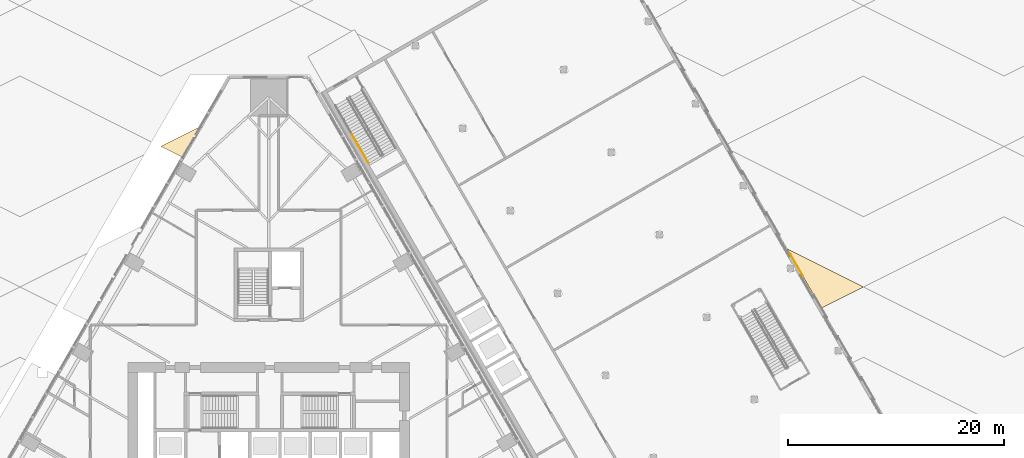
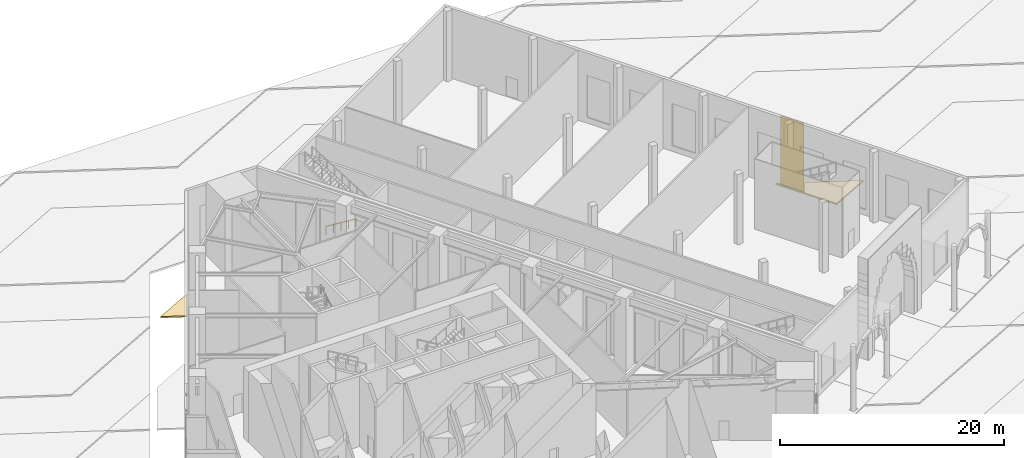
# One storey, part 29 of 34: 3 coverings, 1 railing.
"""IFC4 building model written with IfcOpenShell, lengths in metres."""

from ifc_helpers import new_model, si_unit, direction, frame, origin, origin_2d, place, context, subcontext, project, spatial, polyline, rectangle, circle, outline, extrude, material, layer, layer_set, type_object, element, save


model = new_model("IFC4")

# Units and contexts
model_context = context("Model", 3, precision=1e-05, world=origin(), true_north=direction((0.0, 1.0)))
body_context = subcontext(model_context, "Body", "Model", "MODEL_VIEW")
ifc_project = project(units=[si_unit("LENGTHUNIT", "METRE"), si_unit("AREAUNIT", "SQUARE_METRE"), si_unit("VOLUMEUNIT", "CUBIC_METRE"), si_unit("PLANEANGLEUNIT", "RADIAN"), si_unit("MASSUNIT", "GRAM", prefix="KILO")], contexts=[model_context])

# Site, building, storey
site_placement = place(None, origin())
site = spatial("IfcSite", under=ifc_project, at=site_placement, CompositionType="ELEMENT")
building_placement = place(site_placement, origin())
building = spatial("IfcBuilding", under=site, at=building_placement, Name="Firuza Gate Tower and Library", CompositionType="ELEMENT")
storey_placement = place(building_placement, origin())
storey = spatial("IfcBuildingStorey", under=building, at=storey_placement, Name="L00", CompositionType="ELEMENT", Elevation=0.0)

# Railing
ifc_material_1 = material(Name="Steel S355", Category="steel")
railing_type = type_object("IfcRailingType", Name="LIB HANDRAIL", PredefinedType="HANDRAIL", material=ifc_material_1)
railing_placement = place(storey_placement, frame((82.712646484375, 105.1103515625, 2.0869140625)))
element("IfcRailing", 1, at=railing_placement, inside=storey, type_object=railing_type, Name="L00 LIB-ST-A stair handrail 1b", PredefinedType="HANDRAIL", context=body_context, shape_type="SweptSolid", body=[
    extrude(circle(Radius=0.02392578125, at=origin_2d()), frame((0.0, 0.0, 0.8759765625), z_axis=(0.424755253552, -0.735645393954, 0.527644604762), x_axis=(0.866010015463, 0.500026652407, 0.0)), (0.0, 0.0, 1.0), 3.625732421875),
    extrude(circle(Radius=0.02099609375, at=origin_2d()), origin(), (0.0, 0.0, 1.0), 0.851806640625),
    extrude(circle(Radius=0.02099609375, at=origin_2d()), frame((0.385009765625, -0.666748046875, 0.478271484375)), (0.0, 0.0, 1.0), 0.851806640625),
    extrude(circle(Radius=0.02099609375, at=origin_2d()), frame((0.77001953125, -1.33349609375, 0.95654296875)), (0.0, 0.0, 1.0), 0.851806640625),
    extrude(circle(Radius=0.02099609375, at=origin_2d()), frame((1.155029296875, -2.00048828125, 1.434814453125)), (0.0, 0.0, 1.0), 0.851806640625),
    extrude(circle(Radius=0.02099609375, at=origin_2d()), frame((1.5400390625, -2.667236328125, 1.9130859375)), (0.0, 0.0, 1.0), 0.851806640625),
])

# Coverings
ifc_material_2 = material(Name="Cobalt glazed ceramic tile")
ifc_layer_1 = layer(ifc_material_2, 0.050048828125)
ifc_layer_set_1 = layer_set([ifc_layer_1], Name="LIB TILE CLADDING COBALT")
covering_type_1 = type_object("IfcCoveringType", Name="LIB TILE CLADDING COBALT", PredefinedType="CLADDING", material=ifc_layer_set_1)
covering_1_placement = place(storey_placement, frame((123.83544921875, 93.03369140625, 0.10009765625), z_axis=(0.0, 0.0, 1.0), x_axis=(-0.5, 0.866025403784, 0.0)))
element("IfcCovering", 2, at=covering_1_placement, inside=storey, type_object=covering_type_1, Name="L00 TILE panel 4", PredefinedType="CLADDING", context=body_context, shape_type="SweptSolid", body=[
    extrude(rectangle(XDim=2.39990234375, YDim=0.050048828125, at=origin_2d()), origin(), (0.0, 0.0, 1.0), 7.43994140625),
])
ifc_material_3 = material(Name="Sandstone paving", Category="masonry")
ifc_layer_2 = layer(ifc_material_3, 0.14990234375)
ifc_layer_set_2 = layer_set([ifc_layer_2], Name="Sandstone paving 150")
covering_type_2 = type_object("IfcCoveringType", Name="Sandstone paving 150", PredefinedType="FLOORING", material=ifc_layer_set_2)
placement = place(storey_placement, frame((0.0, 0.0, -0.14990234375)))
element("IfcCovering", 3, at=placement, inside=storey, type_object=covering_type_2, Name="Plaza paving", PredefinedType="FLOORING", context=body_context, shape_type="SweptSolid", body=[
    extrude(outline(polyline([(130.0, 91.0), (126.10498046875, 89.052490234375), (122.94384765625, 94.528076171875), (130.0, 91.0)])), origin(), (0.0, 0.0, 1.0), 0.14990234375),
])
ifc_material_4 = material(Name="Ceramic paving, turquoise")
ifc_layer_3 = layer(ifc_material_4, 0.14990234375)
ifc_layer_set_3 = layer_set([ifc_layer_3], Name="Turquoise ceramic paving 150")
covering_type_3 = type_object("IfcCoveringType", Name="Turquoise ceramic paving 150", PredefinedType="FLOORING", material=ifc_layer_set_3)
element("IfcCovering", 4, at=placement, inside=storey, type_object=covering_type_3, Name="Plaza paving", PredefinedType="FLOORING", context=body_context, shape_type="SweptSolid", body=[
    extrude(outline(polyline([(65.0, 104.0), (68.8564453125, 105.92822265625), (67.128662109375, 102.935791015625), (65.0, 104.0)])), origin(), (0.0, 0.0, 1.0), 0.14990234375),
])

save(model, "model.ifc")
